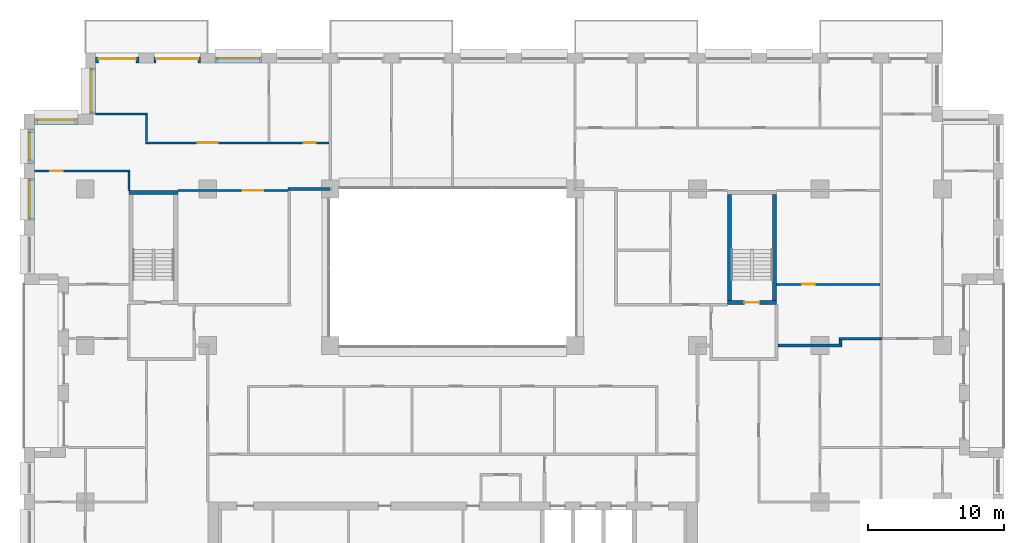
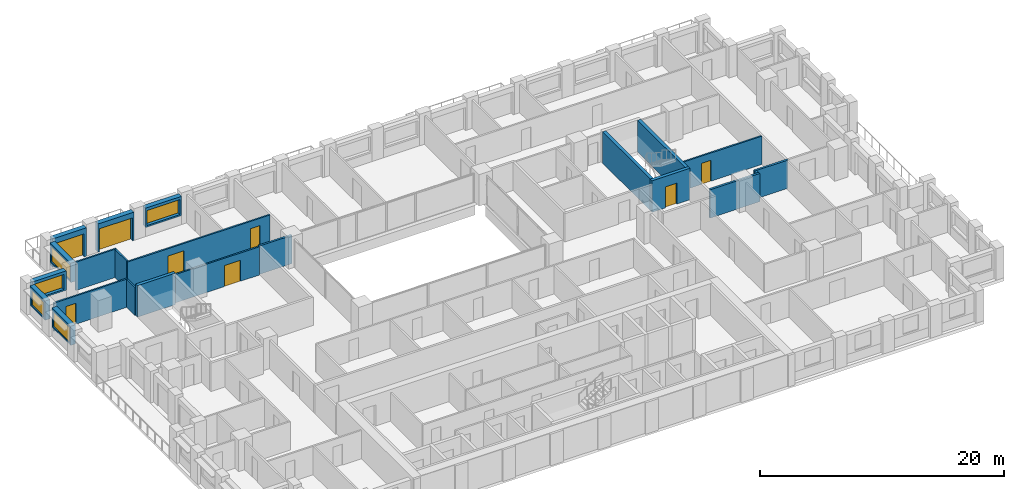
# One storey, part 12 of 16: 22 walls, 8 doors, 5 windows, 13 openings.
"""IFC4 building model written with IfcOpenShell, lengths in metres."""

from ifc_helpers import new_model, si_unit, direction, frame, frame_2d, origin, place, context, subcontext, project, spatial, rectangle, extrude, material, layer, layer_set, type_object, element, fill, save


model = new_model("IFC4")

# Units and contexts
model_context = context("Model", 3, precision=1e-05, world=origin(), true_north=direction((0.0, 1.0)))
body_context = subcontext(model_context, "Body", "Model", "MODEL_VIEW")
ifc_project = project(units=[si_unit("LENGTHUNIT", "METRE"), si_unit("AREAUNIT", "SQUARE_METRE"), si_unit("VOLUMEUNIT", "CUBIC_METRE"), si_unit("PLANEANGLEUNIT", "RADIAN"), si_unit("MASSUNIT", "GRAM", prefix="KILO")], contexts=[model_context])

# Site, building, storey
site_placement = place(None, origin())
site = spatial("IfcSite", under=ifc_project, at=site_placement, CompositionType="ELEMENT")
building_placement = place(site_placement, origin())
building = spatial("IfcBuilding", under=site, at=building_placement, Name="Brigalow Station Residences", CompositionType="ELEMENT")
storey_placement = place(building_placement, frame((0.0, 0.0, 121.35009765625)))
storey = spatial("IfcBuildingStorey", under=building, at=storey_placement, Name="L35", CompositionType="ELEMENT", Elevation=121.35009765625)

# Wall, opening, window
ifc_material_1 = material(Name="Clay brick masonry", Category="masonry")
ifc_layer_1 = layer(ifc_material_1, 0.449951171875)
ifc_layer_set_1 = layer_set([ifc_layer_1], Name="BRICK INFILL WALL 450")
wall_type_1 = type_object("IfcWallType", Name="BRICK INFILL WALL 450", PredefinedType="SOLIDWALL", material=ifc_layer_set_1)
wall_1_placement = place(storey_placement, frame((21.949951171875, 44.97509765625, 0.89990234375), z_axis=(0.0, 0.0, 1.0), x_axis=(-1.0, 0.0, 0.0)))
wall_1 = element("IfcWall", 1, at=wall_1_placement, inside=storey, type_object=wall_type_1, Name="L35/ewall/W-L35-34", PredefinedType="SOLIDWALL", context=body_context, shape_type="SweptSolid", body=[
    extrude(rectangle(XDim=3.39990234375, YDim=0.449951171875, at=frame_2d((1.699951171875, 0.0))), origin(), (0.0, 0.0, 1.0), 1.929931640625),
])
opening_1_placement = place(wall_1_placement, frame((0.14990234375, 0.0, 0.14990234375)))
opening_1 = element("IfcOpeningElement", 2, at=opening_1_placement, cuts=wall_1, Name="Opening WT-8", PredefinedType="OPENING", context=body_context, shape_type="SweptSolid", body=[
    extrude(rectangle(XDim=3.10009765625, YDim=1.5, at=frame_2d((1.550048828125, 0.75))), frame((0.0, 0.23486328125, 0.0), z_axis=(0.0, -1.0, 0.0), x_axis=(1.0, 0.0, 0.0)), (0.0, 0.0, 1.0), 0.469970703125),
])
ifc_material_2 = material(Name="Anodised aluminium frame with double glazing", Category="aluminium")
window_type_1 = type_object("IfcWindowType", Name="WINDOW 3100x1500", PartitioningType="SINGLE_PANEL", PredefinedType="WINDOW", material=ifc_material_2)
window_1_placement = place(opening_1_placement, origin())
window_1 = element("IfcWindow", 3, at=window_1_placement, inside=storey, type_object=window_type_1, Name="L35/window/W-L35-34", OverallHeight=1.5, OverallWidth=3.10009765625, PartitioningType="SINGLE_PANEL", PredefinedType="WINDOW", context=body_context, shape_type="SweptSolid", body=[
    extrude(rectangle(XDim=3.10009765625, YDim=1.5, at=frame_2d((1.550048828125, 0.75))), frame((0.0, -0.06494140625, 0.0), z_axis=(0.0, -1.0, 0.0), x_axis=(1.0, 0.0, 0.0)), (0.0, 0.0, 1.0), 0.06005859375),
])
fill(opening_1, window_1)

# Wall, opening, door
wall_2_placement = place(storey_placement, frame((17.449951171875, 44.97509765625, 0.0), z_axis=(0.0, 0.0, 1.0), x_axis=(-1.0, 0.0, 0.0)))
wall_2 = element("IfcWall", 4, at=wall_2_placement, inside=storey, type_object=wall_type_1, Name="L35/ewall/W-L35-35", PredefinedType="SOLIDWALL", context=body_context, shape_type="SweptSolid", body=[
    extrude(rectangle(XDim=3.39990234375, YDim=0.449951171875, at=frame_2d((1.699951171875, 0.0))), origin(), (0.0, 0.0, 1.0), 2.829833984375),
])
opening_2_placement = place(wall_2_placement, frame((0.14990234375, 0.0, 0.0)))
opening_2 = element("IfcOpeningElement", 5, at=opening_2_placement, cuts=wall_2, Name="Opening D-B3100", PredefinedType="OPENING", context=body_context, shape_type="SweptSolid", body=[
    extrude(rectangle(XDim=3.10009765625, YDim=2.300048828125, at=frame_2d((1.550048828125, 1.14990234375))), frame((0.0, 0.23486328125, 0.0), z_axis=(0.0, -1.0, 0.0), x_axis=(1.0, 0.0, 0.0)), (0.0, 0.0, 1.0), 0.469970703125),
])
ifc_material_3 = material(Name="Anodised aluminium frame with double glazing", Category="aluminium")
door_type_1 = type_object("IfcDoorType", Name="BALCONY SLIDING DOOR 3100x2300", OperationType="SLIDING_TO_LEFT", PredefinedType="DOOR", material=ifc_material_3)
door_1_placement = place(opening_2_placement, origin())
door_1 = element("IfcDoor", 6, at=door_1_placement, inside=storey, type_object=door_type_1, Name="L35/balcony-door/W-L35-35", OperationType="SLIDING_TO_LEFT", OverallHeight=2.300048828125, OverallWidth=3.10009765625, PredefinedType="DOOR", context=body_context, shape_type="SweptSolid", body=[
    extrude(rectangle(XDim=3.10009765625, YDim=2.300048828125, at=frame_2d((1.550048828125, 1.14990234375))), frame((0.0, -0.06982421875, 0.0), z_axis=(0.0, -1.0, 0.0), x_axis=(1.0, 0.0, 0.0)), (0.0, 0.0, 1.0), 0.050048828125),
])
fill(opening_2, door_1)

wall_3_placement = place(storey_placement, frame((12.949951171875, 44.97509765625, 0.0), z_axis=(0.0, 0.0, 1.0), x_axis=(-1.0, 0.0, 0.0)))
wall_3 = element("IfcWall", 7, at=wall_3_placement, inside=storey, type_object=wall_type_1, Name="L35/ewall/W-L35-36", PredefinedType="SOLIDWALL", context=body_context, shape_type="SweptSolid", body=[
    extrude(rectangle(XDim=3.199951171875, YDim=0.449951171875, at=frame_2d((1.60009765625, 0.0))), origin(), (0.0, 0.0, 1.0), 2.829833984375),
])
opening_3_placement = place(wall_3_placement, frame((0.22509765625, 0.0, 0.0)))
opening_3 = element("IfcOpeningElement", 8, at=opening_3_placement, cuts=wall_3, Name="Opening D-B2750", PredefinedType="OPENING", context=body_context, shape_type="SweptSolid", body=[
    extrude(rectangle(XDim=2.75, YDim=2.300048828125, at=frame_2d((1.375, 1.14990234375))), frame((0.0, 0.23486328125, 0.0), z_axis=(0.0, -1.0, 0.0), x_axis=(1.0, 0.0, 0.0)), (0.0, 0.0, 1.0), 0.469970703125),
])
ifc_material_4 = material(Name="Anodised aluminium frame with double glazing", Category="aluminium")
door_type_2 = type_object("IfcDoorType", Name="BALCONY SLIDING DOOR 2750x2300", OperationType="SLIDING_TO_LEFT", PredefinedType="DOOR", material=ifc_material_4)
door_2_placement = place(opening_3_placement, origin())
door_2 = element("IfcDoor", 9, at=door_2_placement, inside=storey, type_object=door_type_2, Name="L35/balcony-door/W-L35-36", OperationType="SLIDING_TO_LEFT", OverallHeight=2.300048828125, OverallWidth=2.75, PredefinedType="DOOR", context=body_context, shape_type="SweptSolid", body=[
    extrude(rectangle(XDim=2.75, YDim=2.300048828125, at=frame_2d((1.375, 1.14990234375))), frame((0.0, -0.06982421875, 0.0), z_axis=(0.0, -1.0, 0.0), x_axis=(1.0, 0.0, 0.0)), (0.0, 0.0, 1.0), 0.050048828125),
])
fill(opening_3, door_2)

# Wall, opening, window
wall_4_placement = place(storey_placement, frame((9.52490234375, 44.39990234375, 0.89990234375), z_axis=(0.0, 0.0, 1.0), x_axis=(0.0, -1.0, 0.0)))
wall_4 = element("IfcWall", 10, at=wall_4_placement, inside=storey, type_object=wall_type_1, Name="L35/ewall/W-L35-37", PredefinedType="SOLIDWALL", context=body_context, shape_type="SweptSolid", body=[
    extrude(rectangle(XDim=3.39990234375, YDim=0.449951171875, at=frame_2d((1.699951171875, 0.0))), origin(), (0.0, 0.0, 1.0), 1.929931640625),
])
opening_4_placement = place(wall_4_placement, frame((0.14990234375, 0.0, 0.14990234375)))
opening_4 = element("IfcOpeningElement", 11, at=opening_4_placement, cuts=wall_4, Name="Opening WT-8", PredefinedType="OPENING", context=body_context, shape_type="SweptSolid", body=[
    extrude(rectangle(XDim=3.10009765625, YDim=1.5, at=frame_2d((1.550048828125, 0.75))), frame((0.0, 0.23486328125, 0.0), z_axis=(0.0, -1.0, 0.0), x_axis=(1.0, 0.0, 0.0)), (0.0, 0.0, 1.0), 0.469970703125),
])
window_2_placement = place(opening_4_placement, origin())
window_2 = element("IfcWindow", 12, at=window_2_placement, inside=storey, type_object=window_type_1, Name="L35/window/W-L35-37", OverallHeight=1.5, OverallWidth=3.10009765625, PartitioningType="SINGLE_PANEL", PredefinedType="WINDOW", context=body_context, shape_type="SweptSolid", body=[
    extrude(rectangle(XDim=3.10009765625, YDim=1.5, at=frame_2d((1.550048828125, 0.75))), frame((0.0, -0.06494140625, 0.0), z_axis=(0.0, -1.0, 0.0), x_axis=(1.0, 0.0, 0.0)), (0.0, 0.0, 1.0), 0.06005859375),
])
fill(opening_4, window_2)

wall_5_placement = place(storey_placement, frame((8.449951171875, 40.47509765625, 0.89990234375), z_axis=(0.0, 0.0, 1.0), x_axis=(-1.0, 0.0, 0.0)))
wall_5 = element("IfcWall", 13, at=wall_5_placement, inside=storey, type_object=wall_type_1, Name="L35/ewall/W-L35-38", PredefinedType="SOLIDWALL", context=body_context, shape_type="SweptSolid", body=[
    extrude(rectangle(XDim=3.199951171875, YDim=0.449951171875, at=frame_2d((1.60009765625, 0.0))), origin(), (0.0, 0.0, 1.0), 1.929931640625),
])
opening_5_placement = place(wall_5_placement, frame((0.22509765625, 0.0, 0.14990234375)))
opening_5 = element("IfcOpeningElement", 14, at=opening_5_placement, cuts=wall_5, Name="Opening WT-3", PredefinedType="OPENING", context=body_context, shape_type="SweptSolid", body=[
    extrude(rectangle(XDim=2.75, YDim=1.5, at=frame_2d((1.375, 0.75))), frame((0.0, 0.23486328125, 0.0), z_axis=(0.0, -1.0, 0.0), x_axis=(1.0, 0.0, 0.0)), (0.0, 0.0, 1.0), 0.469970703125),
])
ifc_material_5 = material(Name="Anodised aluminium frame with double glazing", Category="aluminium")
window_type_2 = type_object("IfcWindowType", Name="WINDOW 2750x1500", PartitioningType="SINGLE_PANEL", PredefinedType="WINDOW", material=ifc_material_5)
window_3_placement = place(opening_5_placement, origin())
window_3 = element("IfcWindow", 15, at=window_3_placement, inside=storey, type_object=window_type_2, Name="L35/window/W-L35-38", OverallHeight=1.5, OverallWidth=2.75, PartitioningType="SINGLE_PANEL", PredefinedType="WINDOW", context=body_context, shape_type="SweptSolid", body=[
    extrude(rectangle(XDim=2.75, YDim=1.5, at=frame_2d((1.375, 0.75))), frame((0.0, -0.06494140625, 0.0), z_axis=(0.0, -1.0, 0.0), x_axis=(1.0, 0.0, 0.0)), (0.0, 0.0, 1.0), 0.06005859375),
])
fill(opening_5, window_3)

wall_6_placement = place(storey_placement, frame((5.02490234375, 39.89990234375, 0.89990234375), z_axis=(0.0, 0.0, 1.0), x_axis=(0.0, -1.0, 0.0)))
wall_6 = element("IfcWall", 16, at=wall_6_placement, inside=storey, type_object=wall_type_1, Name="L35/ewall/W-L35-39", PredefinedType="SOLIDWALL", context=body_context, shape_type="SweptSolid", body=[
    extrude(rectangle(XDim=2.516845703125, YDim=0.449951171875, at=frame_2d((1.25830078125, 0.0))), origin(), (0.0, 0.0, 1.0), 1.929931640625),
])
opening_6_placement = place(wall_6_placement, frame((0.258544921875, 0.0, 0.14990234375)))
opening_6 = element("IfcOpeningElement", 17, at=opening_6_placement, cuts=wall_6, Name="Opening WT-7", PredefinedType="OPENING", context=body_context, shape_type="SweptSolid", body=[
    extrude(rectangle(XDim=2.0, YDim=1.5, at=frame_2d((1.0, 0.75))), frame((0.0, 0.23486328125, 0.0), z_axis=(0.0, -1.0, 0.0), x_axis=(1.0, 0.0, 0.0)), (0.0, 0.0, 1.0), 0.469970703125),
])
ifc_material_6 = material(Name="Anodised aluminium frame with double glazing", Category="aluminium")
window_type_3 = type_object("IfcWindowType", Name="WINDOW 2000x1500", PartitioningType="SINGLE_PANEL", PredefinedType="WINDOW", material=ifc_material_6)
window_4_placement = place(opening_6_placement, origin())
window_4 = element("IfcWindow", 18, at=window_4_placement, inside=storey, type_object=window_type_3, Name="L35/window/W-L35-39", OverallHeight=1.5, OverallWidth=2.0, PartitioningType="SINGLE_PANEL", PredefinedType="WINDOW", context=body_context, shape_type="SweptSolid", body=[
    extrude(rectangle(XDim=2.0, YDim=1.5, at=frame_2d((1.0, 0.75))), frame((0.0, -0.06494140625, 0.0), z_axis=(0.0, -1.0, 0.0), x_axis=(1.0, 0.0, 0.0)), (0.0, 0.0, 1.0), 0.06005859375),
])
fill(opening_6, window_4)

wall_7_placement = place(storey_placement, frame((5.02490234375, 36.282958984375, 0.89990234375), z_axis=(0.0, 0.0, 1.0), x_axis=(0.0, -1.0, 0.0)))
wall_7 = element("IfcWall", 19, at=wall_7_placement, inside=storey, type_object=wall_type_1, Name="L35/ewall/W-L35-40", PredefinedType="SOLIDWALL", context=body_context, shape_type="SweptSolid", body=[
    extrude(rectangle(XDim=3.06591796875, YDim=0.449951171875, at=frame_2d((1.532958984375, 0.0))), origin(), (0.0, 0.0, 1.0), 1.929931640625),
])
opening_7_placement = place(wall_7_placement, frame((0.157958984375, 0.0, 0.14990234375)))
opening_7 = element("IfcOpeningElement", 20, at=opening_7_placement, cuts=wall_7, Name="Opening WT-3", PredefinedType="OPENING", context=body_context, shape_type="SweptSolid", body=[
    extrude(rectangle(XDim=2.75, YDim=1.5, at=frame_2d((1.375, 0.75))), frame((0.0, 0.23486328125, 0.0), z_axis=(0.0, -1.0, 0.0), x_axis=(1.0, 0.0, 0.0)), (0.0, 0.0, 1.0), 0.469970703125),
])
window_5_placement = place(opening_7_placement, origin())
window_5 = element("IfcWindow", 21, at=window_5_placement, inside=storey, type_object=window_type_2, Name="L35/window/W-L35-40", OverallHeight=1.5, OverallWidth=2.75, PartitioningType="SINGLE_PANEL", PredefinedType="WINDOW", context=body_context, shape_type="SweptSolid", body=[
    extrude(rectangle(XDim=2.75, YDim=1.5, at=frame_2d((1.375, 0.75))), frame((0.0, -0.06494140625, 0.0), z_axis=(0.0, -1.0, 0.0), x_axis=(1.0, 0.0, 0.0)), (0.0, 0.0, 1.0), 0.06005859375),
])
fill(opening_7, window_5)

# Wall
ifc_material_7 = material(Name="Concrete C65", Category="concrete")
ifc_layer_2 = layer(ifc_material_7, 0.300048828125)
ifc_layer_set_2 = layer_set([ifc_layer_2], Name="CORE SHEAR WALL 300 C65")
wall_type_2 = type_object("IfcWallType", Name="CORE SHEAR WALL 300 C65", PredefinedType="SHEAR", material=ifc_layer_set_2)
wall_8_placement = place(storey_placement, frame((12.199951171875, 35.25, 0.0), z_axis=(0.0, 0.0, 1.0), x_axis=(1.0, 0.0, 0.0)))
element("IfcWall", 22, at=wall_8_placement, inside=storey, type_object=wall_type_2, Name="CORE WALL ST-S1-N L35", PredefinedType="SHEAR", context=body_context, shape_type="SweptSolid", body=[
    extrude(rectangle(XDim=3.60009765625, YDim=0.300048828125, at=frame_2d((1.800048828125, 0.0))), origin(), (0.0, 0.0, 1.0), 3.14990234375),
])

# Wall, opening, door
wall_9_placement = place(storey_placement, frame((56.199951171875, 27.14990234375, 0.0), z_axis=(0.0, 0.0, 1.0), x_axis=(1.0, 0.0, 0.0)))
wall_9 = element("IfcWall", 23, at=wall_9_placement, inside=storey, type_object=wall_type_2, Name="CORE WALL ST-S3-S L35", PredefinedType="SHEAR", context=body_context, shape_type="SweptSolid", body=[
    extrude(rectangle(XDim=3.60009765625, YDim=0.300048828125, at=frame_2d((1.800048828125, 0.0))), origin(), (0.0, 0.0, 1.0), 3.14990234375),
])
opening_8_placement = place(wall_9_placement, frame((1.25, 0.0, 0.0)))
opening_8 = element("IfcOpeningElement", 24, at=opening_8_placement, cuts=wall_9, Name="Opening D-5018", PredefinedType="OPENING", context=body_context, shape_type="SweptSolid", body=[
    extrude(rectangle(XDim=1.10009765625, YDim=2.10009765625, at=frame_2d((0.550048828125, 1.050048828125))), frame((0.0, 0.16015625, 0.0), z_axis=(0.0, -1.0, 0.0), x_axis=(1.0, 0.0, 0.0)), (0.0, 0.0, 1.0), 0.320068359375),
])
ifc_material_8 = material(Name="Steel fire door leaf in steel frame", Category="steel")
door_type_3 = type_object("IfcDoorType", Name="STAIR DOOR 1100 x 2100 FD60S", OperationType="SINGLE_SWING_LEFT", PredefinedType="DOOR", material=ifc_material_8)
door_3_placement = place(opening_8_placement, origin())
door_3 = element("IfcDoor", 25, at=door_3_placement, inside=storey, type_object=door_type_3, Name="D-5018", OperationType="SINGLE_SWING_LEFT", OverallHeight=2.10009765625, OverallWidth=1.10009765625, PredefinedType="DOOR", context=body_context, shape_type="SweptSolid", body=[
    extrude(rectangle(XDim=1.10009765625, YDim=2.10009765625, at=frame_2d((0.550048828125, 1.050048828125))), frame((0.0, 0.02490234375, 0.0), z_axis=(0.0, -1.0, 0.0), x_axis=(1.0, 0.0, 0.0)), (0.0, 0.0, 1.0), 0.050048828125),
])
fill(opening_8, door_3)

# Walls
for number, where, z_axis, x_axis, name in (
    (26, (56.35009765625, 27.300048828125, 0.0), (0.0, 0.0, 1.0), (0.0, 1.0, 0.0), "CORE WALL ST-S3-W L35"),
    (27, (59.64990234375, 27.300048828125, 0.0), (0.0, 0.0, 1.0), (0.0, 1.0, 0.0), "CORE WALL ST-S3-E L35"),
):
    element("IfcWall", number, at=place(storey_placement, frame(where, z_axis=z_axis, x_axis=x_axis)), inside=storey, type_object=wall_type_2, Name=name, PredefinedType="SHEAR", context=body_context, shape_type="SweptSolid", body=[
        extrude(rectangle(XDim=7.800048828125, YDim=0.300048828125, at=frame_2d((3.89990234375, 0.0))), origin(), (0.0, 0.0, 1.0), 3.14990234375),
    ])

# Wall, opening, door
ifc_material_9 = material(Name="Plasterboard on steel stud partition", Category="steel")
ifc_layer_3 = layer(ifc_material_9, 0.14990234375)
ifc_layer_set_3 = layer_set([ifc_layer_3], Name="FLAT PARTITION 150")
wall_type_3 = type_object("IfcWallType", Name="FLAT PARTITION 150", PredefinedType="PARTITIONING", material=ifc_layer_set_3)
wall_10_placement = place(storey_placement, frame((59.800048828125, 28.5, 0.0), z_axis=(0.0, 0.0, 1.0), x_axis=(1.0, 0.0, 0.0)))
wall_10 = element("IfcWall", 28, at=wall_10_placement, inside=storey, type_object=wall_type_3, Name="PW-2E22", PredefinedType="PARTITIONING", context=body_context, shape_type="SweptSolid", body=[
    extrude(rectangle(XDim=7.599853515625, YDim=0.14990234375, at=frame_2d((3.7998046875, 0.0))), origin(), (0.0, 0.0, 1.0), 2.829833984375),
])
opening_9_placement = place(wall_10_placement, frame((1.89990234375, 0.0, 0.0)))
opening_9 = element("IfcOpeningElement", 29, at=opening_9_placement, cuts=wall_10, Name="Opening D-2E29", PredefinedType="OPENING", context=body_context, shape_type="SweptSolid", body=[
    extrude(rectangle(XDim=0.89990234375, YDim=2.10009765625, at=frame_2d((0.449951171875, 1.050048828125))), frame((0.0, 0.0849609375, 0.0), z_axis=(0.0, -1.0, 0.0), x_axis=(1.0, 0.0, 0.0)), (0.0, 0.0, 1.0), 0.169921875),
])
ifc_material_10 = material(Name="Solid-core timber door leaf", Category="wood")
door_type_4 = type_object("IfcDoorType", Name="INTERNAL DOOR 900 x 2100", OperationType="SINGLE_SWING_LEFT", PredefinedType="DOOR", material=ifc_material_10)
door_4_placement = place(opening_9_placement, frame((0.89990234375, 0.0, 0.0), z_axis=(0.0, 0.0, 1.0), x_axis=(-1.0, 0.0, 0.0)))
door_4 = element("IfcDoor", 30, at=door_4_placement, inside=storey, type_object=door_type_4, Name="D-2E29", OperationType="SINGLE_SWING_RIGHT", OverallHeight=2.10009765625, OverallWidth=0.89990234375, PredefinedType="DOOR", context=body_context, shape_type="SweptSolid", body=[
    extrude(rectangle(XDim=0.89990234375, YDim=2.10009765625, at=frame_2d((0.449951171875, 1.050048828125))), frame((0.0, 0.02490234375, 0.0), z_axis=(0.0, -1.0, 0.0), x_axis=(1.0, 0.0, 0.0)), (0.0, 0.0, 1.0), 0.050048828125),
])
fill(opening_9, door_4)

wall_11_placement = place(storey_placement, frame((5.25, 36.8330078125, 0.0), z_axis=(0.0, 0.0, 1.0), x_axis=(1.0, 0.0, 0.0)))
wall_11 = element("IfcWall", 31, at=wall_11_placement, inside=storey, type_object=wall_type_3, Name="PW-2E24", PredefinedType="PARTITIONING", context=body_context, shape_type="SweptSolid", body=[
    extrude(rectangle(XDim=7.02490234375, YDim=0.14990234375, at=frame_2d((3.512451171875, 0.0))), origin(), (0.0, 0.0, 1.0), 2.829833984375),
])
opening_10_placement = place(wall_11_placement, frame((1.175048828125, 0.0, 0.0)))
opening_10 = element("IfcOpeningElement", 32, at=opening_10_placement, cuts=wall_11, Name="Opening D-2E12", PredefinedType="OPENING", context=body_context, shape_type="SweptSolid", body=[
    extrude(rectangle(XDim=0.89990234375, YDim=2.10009765625, at=frame_2d((0.449951171875, 1.050048828125))), frame((0.0, 0.0849609375, 0.0), z_axis=(0.0, -1.0, 0.0), x_axis=(1.0, 0.0, 0.0)), (0.0, 0.0, 1.0), 0.169921875),
])
door_5_placement = place(opening_10_placement, frame((0.89990234375, 0.0, 0.0), z_axis=(0.0, 0.0, 1.0), x_axis=(-1.0, 0.0, 0.0)))
door_5 = element("IfcDoor", 33, at=door_5_placement, inside=storey, type_object=door_type_4, Name="D-2E12", OperationType="SINGLE_SWING_RIGHT", OverallHeight=2.10009765625, OverallWidth=0.89990234375, PredefinedType="DOOR", context=body_context, shape_type="SweptSolid", body=[
    extrude(rectangle(XDim=0.89990234375, YDim=2.10009765625, at=frame_2d((0.449951171875, 1.050048828125))), frame((0.0, 0.02490234375, 0.0), z_axis=(0.0, -1.0, 0.0), x_axis=(1.0, 0.0, 0.0)), (0.0, 0.0, 1.0), 0.050048828125),
])
fill(opening_10, door_5)

# Wall, openings, doors
wall_12_placement = place(storey_placement, frame((13.425048828125, 38.89990234375, 0.0), z_axis=(0.0, 0.0, 1.0), x_axis=(1.0, 0.0, 0.0)))
wall_12 = element("IfcWall", 34, at=wall_12_placement, inside=storey, type_object=wall_type_3, Name="PW-2E26", PredefinedType="PARTITIONING", context=body_context, shape_type="SweptSolid", body=[
    extrude(rectangle(XDim=13.474853515625, YDim=0.14990234375, at=frame_2d((6.7373046875, 0.0))), origin(), (0.0, 0.0, 1.0), 2.829833984375),
])
opening_11_placement = place(wall_12_placement, frame((3.824951171875, 0.0, 0.0)))
opening_11 = element("IfcOpeningElement", 35, at=opening_11_placement, cuts=wall_12, Name="Opening D-2E13", PredefinedType="OPENING", context=body_context, shape_type="SweptSolid", body=[
    extrude(rectangle(XDim=1.5, YDim=2.10009765625, at=frame_2d((0.75, 1.050048828125))), frame((0.0, 0.0849609375, 0.0), z_axis=(0.0, -1.0, 0.0), x_axis=(1.0, 0.0, 0.0)), (0.0, 0.0, 1.0), 0.169921875),
])
opening_12_placement = place(wall_12_placement, frame((11.625, 0.0, 0.0)))
opening_12 = element("IfcOpeningElement", 36, at=opening_12_placement, cuts=wall_12, Name="Opening D-2E15", PredefinedType="OPENING", context=body_context, shape_type="SweptSolid", body=[
    extrude(rectangle(XDim=0.89990234375, YDim=2.10009765625, at=frame_2d((0.449951171875, 1.050048828125))), frame((0.0, 0.0849609375, 0.0), z_axis=(0.0, -1.0, 0.0), x_axis=(1.0, 0.0, 0.0)), (0.0, 0.0, 1.0), 0.169921875),
])
door_6_placement = place(opening_12_placement, origin())
door_6 = element("IfcDoor", 37, at=door_6_placement, inside=storey, type_object=door_type_4, Name="D-2E15", OperationType="SINGLE_SWING_RIGHT", OverallHeight=2.10009765625, OverallWidth=0.89990234375, PredefinedType="DOOR", context=body_context, shape_type="SweptSolid", body=[
    extrude(rectangle(XDim=0.89990234375, YDim=2.10009765625, at=frame_2d((0.449951171875, 1.050048828125))), frame((0.0, 0.02490234375, 0.0), z_axis=(0.0, -1.0, 0.0), x_axis=(1.0, 0.0, 0.0)), (0.0, 0.0, 1.0), 0.050048828125),
])
fill(opening_12, door_6)
ifc_material_11 = material(Name="Solid-core timber door leaf", Category="wood")
door_type_5 = type_object("IfcDoorType", Name="INTERNAL DOUBLE DOOR 1500 x 2100", OperationType="DOUBLE_DOOR_SINGLE_SWING", PredefinedType="DOOR", material=ifc_material_11)
door_7_placement = place(opening_11_placement, origin())
door_7 = element("IfcDoor", 38, at=door_7_placement, inside=storey, type_object=door_type_5, Name="D-2E13", OperationType="DOUBLE_DOOR_SINGLE_SWING", OverallHeight=2.10009765625, OverallWidth=1.5, PredefinedType="DOOR", context=body_context, shape_type="SweptSolid", body=[
    extrude(rectangle(XDim=1.5, YDim=2.10009765625, at=frame_2d((0.75, 1.050048828125))), frame((0.0, 0.02490234375, 0.0), z_axis=(0.0, -1.0, 0.0), x_axis=(1.0, 0.0, 0.0)), (0.0, 0.0, 1.0), 0.050048828125),
])
fill(opening_11, door_7)

# Wall, opening, door
wall_13_placement = place(storey_placement, frame((15.800048828125, 35.39990234375, 0.0), z_axis=(0.0, 0.0, 1.0), x_axis=(1.0, 0.0, 0.0)))
wall_13 = element("IfcWall", 39, at=wall_13_placement, inside=storey, type_object=wall_type_3, Name="PW-2E27", PredefinedType="PARTITIONING", context=body_context, shape_type="SweptSolid", body=[
    extrude(rectangle(XDim=8.099853515625, YDim=0.14990234375, at=frame_2d((4.0498046875, 0.0))), origin(), (0.0, 0.0, 1.0), 2.829833984375),
])
opening_13_placement = place(wall_13_placement, frame((4.77490234375, 0.0, 0.0)))
opening_13 = element("IfcOpeningElement", 40, at=opening_13_placement, cuts=wall_13, Name="Opening D-2E16", PredefinedType="OPENING", context=body_context, shape_type="SweptSolid", body=[
    extrude(rectangle(XDim=1.5, YDim=2.10009765625, at=frame_2d((0.75, 1.050048828125))), frame((0.0, 0.0849609375, 0.0), z_axis=(0.0, -1.0, 0.0), x_axis=(1.0, 0.0, 0.0)), (0.0, 0.0, 1.0), 0.169921875),
])
door_8_placement = place(opening_13_placement, frame((1.5, 0.0, 0.0), z_axis=(0.0, 0.0, 1.0), x_axis=(-1.0, 0.0, 0.0)))
door_8 = element("IfcDoor", 41, at=door_8_placement, inside=storey, type_object=door_type_5, Name="D-2E16", OperationType="DOUBLE_DOOR_SINGLE_SWING", OverallHeight=2.10009765625, OverallWidth=1.5, PredefinedType="DOOR", context=body_context, shape_type="SweptSolid", body=[
    extrude(rectangle(XDim=1.5, YDim=2.10009765625, at=frame_2d((0.75, 1.050048828125))), frame((0.0, 0.02490234375, 0.0), z_axis=(0.0, -1.0, 0.0), x_axis=(1.0, 0.0, 0.0)), (0.0, 0.0, 1.0), 0.050048828125),
])
fill(opening_13, door_8)

# Walls
wall_14_placement = place(storey_placement, frame((9.75, 41.0, 0.0), z_axis=(0.0, 0.0, 1.0), x_axis=(1.0, 0.0, 0.0)))
element("IfcWall", 42, at=wall_14_placement, inside=storey, type_object=wall_type_3, Name="PW-2E30", PredefinedType="PARTITIONING", context=body_context, shape_type="SweptSolid", body=[
    extrude(rectangle(XDim=3.824951171875, YDim=0.14990234375, at=frame_2d((1.91259765625, 0.0))), origin(), (0.0, 0.0, 1.0), 2.829833984375),
])
wall_15_placement = place(storey_placement, frame((13.5, 38.97509765625, 0.0), z_axis=(0.0, 0.0, 1.0), x_axis=(0.0, 1.0, 0.0)))
element("IfcWall", 43, at=wall_15_placement, inside=storey, type_object=wall_type_3, Name="PW-2E46", PredefinedType="PARTITIONING", context=body_context, shape_type="SweptSolid", body=[
    extrude(rectangle(XDim=1.949951171875, YDim=0.14990234375, at=frame_2d((0.97509765625, 0.0))), origin(), (0.0, 0.0, 1.0), 2.829833984375),
])
wall_16_placement = place(storey_placement, frame((12.199951171875, 35.39990234375, 0.0), z_axis=(0.0, 0.0, 1.0), x_axis=(0.0, 1.0, 0.0)))
element("IfcWall", 44, at=wall_16_placement, inside=storey, type_object=wall_type_3, Name="PW-2E47", PredefinedType="PARTITIONING", context=body_context, shape_type="SweptSolid", body=[
    extrude(rectangle(XDim=1.358154296875, YDim=0.14990234375, at=frame_2d((0.67919921875, 0.0))), origin(), (0.0, 0.0, 1.0), 2.829833984375),
])
ifc_material_12 = material(Name="Plasterboard on steel stud partition", Category="steel")
ifc_layer_4 = layer(ifc_material_12, 0.199951171875)
ifc_layer_set_4 = layer_set([ifc_layer_4], Name="PARTY AND CORRIDOR WALL 200")
wall_type_4 = type_object("IfcWallType", Name="PARTY AND CORRIDOR WALL 200", PredefinedType="PARTITIONING", material=ifc_layer_set_4)
wall_17_placement = place(storey_placement, frame((59.89990234375, 24.0, 0.0), z_axis=(0.0, 0.0, 1.0), x_axis=(1.0, 0.0, 0.0)))
element("IfcWall", 45, at=wall_17_placement, inside=storey, type_object=wall_type_4, Name="PW-2E04", PredefinedType="PARTITIONING", context=body_context, shape_type="SweptSolid", body=[
    extrude(rectangle(XDim=4.7001953125, YDim=0.199951171875, at=frame_2d((2.35009765625, 0.0))), origin(), (0.0, 0.0, 1.0), 2.829833984375),
])
wall_18_placement = place(storey_placement, frame((23.89990234375, 35.5, 0.0), z_axis=(0.0, 0.0, 1.0), x_axis=(1.0, 0.0, 0.0)))
element("IfcWall", 46, at=wall_18_placement, inside=storey, type_object=wall_type_4, Name="PW-2E07", PredefinedType="PARTITIONING", context=body_context, shape_type="SweptSolid", body=[
    extrude(rectangle(XDim=3.10009765625, YDim=0.199951171875, at=frame_2d((1.550048828125, 0.0))), origin(), (0.0, 0.0, 1.0), 2.829833984375),
])
wall_19_placement = place(storey_placement, frame((64.39990234375, 24.5, 0.0), z_axis=(0.0, 0.0, 1.0), x_axis=(1.0, 0.0, 0.0)))
element("IfcWall", 47, at=wall_19_placement, inside=storey, type_object=wall_type_4, Name="PW-2E20", PredefinedType="PARTITIONING", context=body_context, shape_type="SweptSolid", body=[
    extrude(rectangle(XDim=3.175048828125, YDim=0.199951171875, at=frame_2d((1.58740234375, 0.0))), origin(), (0.0, 0.0, 1.0), 2.829833984375),
])
wall_20_placement = place(storey_placement, frame((64.5, 24.10009765625, 0.0), z_axis=(0.0, 0.0, 1.0), x_axis=(0.0, 1.0, 0.0)))
element("IfcWall", 48, at=wall_20_placement, inside=storey, type_object=wall_type_4, Name="PW-2E61", PredefinedType="PARTITIONING", context=body_context, shape_type="SweptSolid", body=[
    extrude(rectangle(XDim=0.2998046875, YDim=0.199951171875, at=frame_2d((0.14990234375, 0.0))), origin(), (0.0, 0.0, 1.0), 2.829833984375),
])

save(model, "model.ifc")
